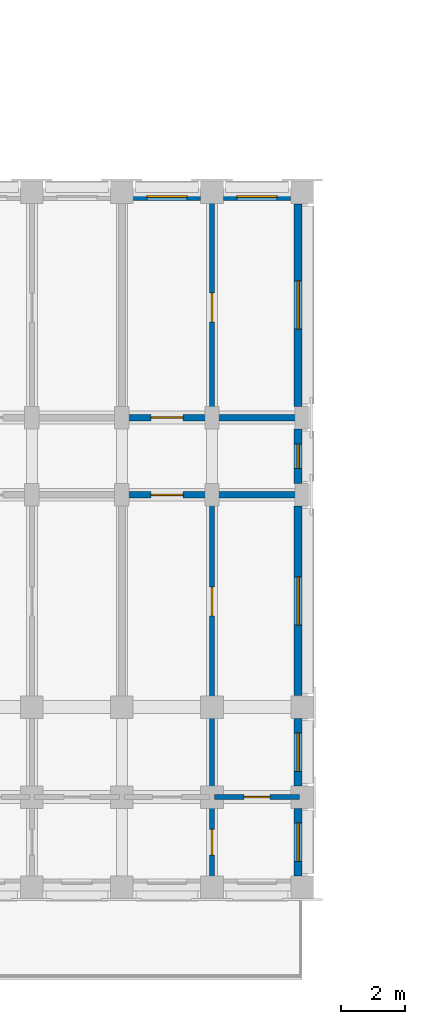
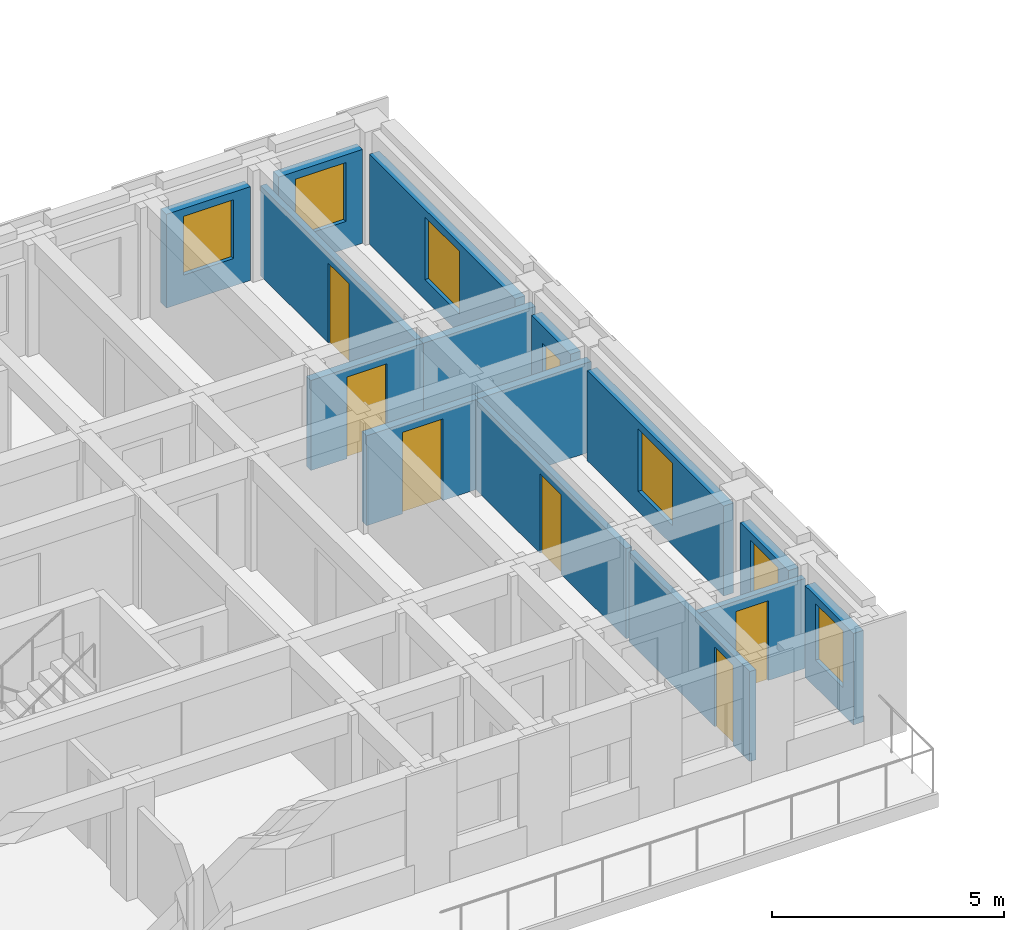
# One storey, part 23 of 57: 15 walls, 7 windows, 6 doors, 13 openings.
"""IFC4 building model written with IfcOpenShell, lengths in metres."""

import ifcopenshell
import ifcopenshell.guid

model = None  # the IFC model being written
_history = None  # IfcOwnerHistory: only IFC2X3 demands one
_inside = {}  # id of a spatial element -> (the spatial element, [elements in it])
_under = {}  # id of a project, library or spatial element -> (it, [spatial elements below it])
_declared = {}  # id of a project -> (the project, [libraries it declares])
_typed = {}  # id of a type object -> (the type object, [elements of that type])
_made_of = {}  # id of a material, layer set ... -> (it, [elements and type objects made of it])


def new_model(schema):
    """Start an empty IFC model of exactly this schema.

    Asked for "IFC4X3", IfcOpenShell would pick the latest addendum, in which some entities
    have other attributes; the version numbers below select the first issue.
    IFC2X3 requires an IfcOwnerHistory on every rooted entity: one is made here for all.
    """
    global model, _history
    if schema == "IFC4X3":
        model = ifcopenshell.file(schema_version=(4, 3, 0, 0))
    else:
        model = ifcopenshell.file(schema=schema)
    _inside.clear()
    _under.clear()
    _declared.clear()
    _typed.clear()
    _made_of.clear()
    _history = None
    if model.schema == "IFC2X3":
        org = make("IfcOrganization", Name="unknown")
        user = make(
            "IfcPersonAndOrganization",
            ThePerson=make("IfcPerson", FamilyName="unknown"),
            TheOrganization=org,
        )
        app = make(
            "IfcApplication",
            ApplicationDeveloper=org,
            Version="unknown",
            ApplicationFullName="unknown",
            ApplicationIdentifier="unknown",
        )
        _history = make(
            "IfcOwnerHistory",
            OwningUser=user,
            OwningApplication=app,
            ChangeAction="ADDED",
            CreationDate=0,
        )
    return model


def make(cls, **values):
    """One entity of the class cls with the attributes given. An attribute that is None is left unset."""
    return model.create_entity(
        cls, **{name: value for name, value in values.items() if value is not None}
    )


def rooted(cls, **values):
    """An entity with a GlobalId (a new one), such as an element, a storey or a relation."""
    return make(cls, GlobalId=ifcopenshell.guid.new(), OwnerHistory=_history, **values)


def si_unit(unit_type, name, prefix=None):
    """IfcSIUnit, for example si_unit("LENGTHUNIT", "METRE", prefix="MILLI")."""
    return make("IfcSIUnit", UnitType=unit_type, Prefix=prefix, Name=name)


def assignment(units):
    """IfcUnitAssignment: the units of a project."""
    return None if units is None else make("IfcUnitAssignment", Units=units)


def point(xyz):
    """IfcCartesianPoint."""
    return None if xyz is None else make("IfcCartesianPoint", Coordinates=xyz)


def direction(xyz):
    """IfcDirection."""
    return None if xyz is None else make("IfcDirection", DirectionRatios=xyz)


def frame(location, z_axis=None, x_axis=None):
    """IfcAxis2Placement3D, a coordinate frame: its origin and axes. An axis left out is left unset."""
    return make(
        "IfcAxis2Placement3D",
        Location=point(location),
        Axis=direction(z_axis),
        RefDirection=direction(x_axis),
    )


def frame_2d(location, x_axis=None):
    """IfcAxis2Placement2D, a coordinate frame in the plane: its origin and x axis."""
    return make(
        "IfcAxis2Placement2D", Location=point(location), RefDirection=direction(x_axis)
    )


def origin():
    """The frame at (0, 0, 0) with its axes left unset."""
    return frame((0.0, 0.0, 0.0))


def place(relative_to, where):
    """IfcLocalPlacement: puts the frame where relative to a parent placement (None: the world)."""
    return make(
        "IfcLocalPlacement", PlacementRelTo=relative_to, RelativePlacement=where
    )


def context(
    kind, dimensions, precision=None, world=None, true_north=None, identifier=None
):
    """IfcGeometricRepresentationContext, for example the 3D "Model" context."""
    return make(
        "IfcGeometricRepresentationContext",
        ContextIdentifier=identifier,
        ContextType=kind,
        CoordinateSpaceDimension=dimensions,
        Precision=precision,
        WorldCoordinateSystem=world,
        TrueNorth=true_north,
    )


def subcontext(parent, identifier, kind, view, scale=None):
    """IfcGeometricRepresentationSubContext, for example "Body" below "Model"."""
    return make(
        "IfcGeometricRepresentationSubContext",
        ContextIdentifier=identifier,
        ContextType=kind,
        ParentContext=parent,
        TargetScale=scale,
        TargetView=view,
    )


def project(units=None, contexts=None):
    """IfcProject with its units and contexts."""
    return rooted(
        "IfcProject",
        Name="project",
        RepresentationContexts=contexts,
        UnitsInContext=assignment(units),
    )


def spatial(cls, under=None, at=None, **own):
    """A site, building, storey or space (cls), placed at a placement, below another one or the project."""
    s = rooted(cls, ObjectPlacement=at, **own)
    if under is not None:
        _under.setdefault(under.id(), (under, []))[1].append(s)
    return s


def profile(cls, at=None, kind="AREA", **sizes):
    """A parametric profile (cls). Its sizes go by their IFC names, for example OverallWidth=200.0."""
    return make(cls, ProfileType=kind, Position=at, **sizes)


def rectangle(**sizes):
    """IfcRectangleProfileDef."""
    return profile("IfcRectangleProfileDef", **sizes)


def extrude(swept, where, along, depth):
    """IfcExtrudedAreaSolid: the profile swept, set in the frame where, extruded along a direction by depth."""
    return make(
        "IfcExtrudedAreaSolid",
        SweptArea=swept,
        Position=where,
        ExtrudedDirection=direction(along),
        Depth=depth,
    )


def shape(context_of_items, identifier, shape_type, items):
    """IfcShapeRepresentation: the items that make up one representation, for example the "Body"."""
    return make(
        "IfcShapeRepresentation",
        ContextOfItems=context_of_items,
        RepresentationIdentifier=identifier,
        RepresentationType=shape_type,
        Items=items,
    )


def material(Name=None, Category=None):
    """IfcMaterial."""
    return make("IfcMaterial", Name=Name, Category=Category)


def layer(
    of_material, thickness, ventilated=None, Name=None, Category=None, Priority=None
):
    """IfcMaterialLayer: one layer of a wall or slab, of a material (None: an air gap)."""
    return make(
        "IfcMaterialLayer",
        Material=of_material,
        LayerThickness=thickness,
        IsVentilated=ventilated,
        Name=Name,
        Category=Category,
        Priority=Priority,
    )


def layer_set(layers, Name=None):
    """IfcMaterialLayerSet."""
    return make("IfcMaterialLayerSet", MaterialLayers=layers, LayerSetName=Name)


def made_of(thing, what):
    """Note that an element or type object is made of a material, layer set ...; save() writes the relation."""
    if what is not None:
        _made_of.setdefault(what.id(), (what, []))[1].append(thing)
    return thing


def type_object(cls, material=None, **own):
    """A type object (cls), such as IfcWallType, which elements share."""
    return made_of(rooted(cls, **own), material)


def element(
    cls,
    number,
    at=None,
    inside=None,
    cuts=None,
    type_object=None,
    material=None,
    context=None,
    identifier="Body",
    shape_type=None,
    held_by="IfcProductDefinitionShape",
    body=None,
    shapes=None,
    **own,
):
    """One element of the class cls, such as IfcWall. Its Tag is "e" and its number.

    at: its placement. inside: the storey or other place that contains it. cuts: it is an
    opening in that element (IfcRelVoidsElement). A single representation is given by context,
    identifier, shape_type and body (its items); several are given by shapes. held_by: the class
    of the entity that holds the representations. save() writes the other relations.
    """
    e = rooted(cls, Tag="e%d" % number, ObjectPlacement=at, **own)
    if body is not None:
        shapes = [shape(context, identifier, shape_type, body)]
    if shapes is not None:
        e.Representation = make(held_by, Representations=shapes)
    if inside is not None:
        _inside.setdefault(inside.id(), (inside, []))[1].append(e)
    if cuts is not None:
        rooted(
            "IfcRelVoidsElement", RelatingBuildingElement=cuts, RelatedOpeningElement=e
        )
    if type_object is not None:
        _typed.setdefault(type_object.id(), (type_object, []))[1].append(e)
    return made_of(e, material)


def fill(opening, filler):
    """IfcRelFillsElement: the door or window that sits in an opening."""
    return rooted(
        "IfcRelFillsElement",
        RelatingOpeningElement=opening,
        RelatedBuildingElement=filler,
    )


def aggregate(whole, parts):
    """IfcRelAggregates: a whole, such as a stair, and the parts it consists of."""
    return rooted("IfcRelAggregates", RelatingObject=whole, RelatedObjects=parts)


def save(model, path):
    """Write the relations noted so far, then the file.

    IfcRelAggregates (storeys below a building ...), IfcRelContainedInSpatialStructure (elements
    in a storey), IfcRelDefinesByType, IfcRelAssociatesMaterial and IfcRelDeclares: one each for
    every whole, place, type object, material and project.
    """
    for whole, parts in _under.values():
        aggregate(whole, parts)
    for where, things in _inside.values():
        rooted(
            "IfcRelContainedInSpatialStructure",
            RelatedElements=things,
            RelatingStructure=where,
        )
    for kind, things in _typed.values():
        rooted("IfcRelDefinesByType", RelatedObjects=things, RelatingType=kind)
    for what, things in _made_of.values():
        rooted("IfcRelAssociatesMaterial", RelatedObjects=things, RelatingMaterial=what)
    for by, libraries in _declared.values():
        rooted("IfcRelDeclares", RelatingContext=by, RelatedDefinitions=libraries)
    model.write(path)


model = new_model("IFC4")

# Units and contexts
model_context = context("Model", 3, precision=1e-05, world=origin(), true_north=direction((0.0, 1.0)))
body_context = subcontext(model_context, "Body", "Model", "MODEL_VIEW")
ifc_project = project(units=[si_unit("LENGTHUNIT", "METRE"), si_unit("AREAUNIT", "SQUARE_METRE"), si_unit("VOLUMEUNIT", "CUBIC_METRE"), si_unit("PLANEANGLEUNIT", "RADIAN"), si_unit("MASSUNIT", "GRAM", prefix="KILO")], contexts=[model_context])

# Site, building, storey
site_placement = place(None, origin())
site = spatial("IfcSite", under=ifc_project, at=site_placement, CompositionType="ELEMENT")
building_placement = place(site_placement, origin())
building = spatial("IfcBuilding", under=site, at=building_placement, Name="Kiranvali Square Residences", CompositionType="ELEMENT")
storey_placement = place(building_placement, frame((0.0, 0.0, 24.449951171875)))
storey = spatial("IfcBuildingStorey", under=building, at=storey_placement, Name="L07", CompositionType="ELEMENT", Elevation=24.449951171875)

# Wall, opening, door
ifc_material_1 = material(Name="Autoclaved aerated concrete blockwork masonry", Category="masonry")
ifc_layer_1 = layer(ifc_material_1, 0.199951171875)
ifc_layer_set_1 = layer_set([ifc_layer_1], Name="Autoclaved aerated concrete blockwork masonry")
wall_type_1 = type_object("IfcWallType", Name="WL-COR-200", PredefinedType="STANDARD", material=ifc_layer_set_1)
wall_1_placement = place(storey_placement, frame((65.0, 22.39990234375, 0.0), z_axis=(0.0, 0.0, 1.0), x_axis=(1.0, 0.0, 0.0)))
wall_1 = element("IfcWall", 1, at=wall_1_placement, inside=storey, type_object=wall_type_1, Name="L07 architectural wall WL-L07-C-A1CI-2", PredefinedType="STANDARD", context=body_context, shape_type="SweptSolid", body=[
    extrude(rectangle(XDim=2.800048828125, YDim=0.199951171875, at=frame_2d((1.39990234375, 0.0))), origin(), (0.0, 0.0, 1.0), 2.3720703125),
])
opening_1_placement = place(wall_1_placement, frame((0.89990234375, 0.0, 0.0)))
opening_1 = element("IfcOpeningElement", 2, at=opening_1_placement, cuts=wall_1, Name="Opening FD-APT-60", PredefinedType="OPENING", context=body_context, shape_type="SweptSolid", body=[
    extrude(rectangle(XDim=1.0, YDim=2.14990234375, at=frame_2d((0.5, 1.074951171875))), frame((0.0, 0.10986328125, 0.0), z_axis=(0.0, -1.0, 0.0), x_axis=(1.0, 0.0, 0.0)), (0.0, 0.0, 1.0), 0.219970703125),
])
ifc_material_2 = material(Name="Fire-rated acoustic hardwood and mineral-core door assembly", Category="wood")
door_type_1 = type_object("IfcDoorType", Name="DR-APT-1000", OperationType="NOTDEFINED", PredefinedType="DOOR", material=ifc_material_2)
door_1_placement = place(opening_1_placement, frame((1.0, 0.0, 0.0), z_axis=(0.0, 0.0, 1.0), x_axis=(-1.0, 0.0, 0.0)))
door_1 = element("IfcDoor", 3, at=door_1_placement, inside=storey, type_object=door_type_1, Name="L07 door DR-L07-2156 (DR-APT-1000)", OperationType="SINGLE_SWING_RIGHT", OverallHeight=2.14990234375, OverallWidth=1.0, PredefinedType="DOOR", context=body_context, shape_type="SweptSolid", body=[
    extrude(rectangle(XDim=1.0, YDim=2.14990234375, at=frame_2d((0.5, 1.074951171875))), frame((0.0, 0.02490234375, 0.0), z_axis=(0.0, -1.0, 0.0), x_axis=(1.0, 0.0, 0.0)), (0.0, 0.0, 1.0), 0.050048828125),
])
fill(opening_1, door_1)

wall_2_placement = place(storey_placement, frame((65.0, 20.0, 0.0), z_axis=(0.0, 0.0, 1.0), x_axis=(1.0, 0.0, 0.0)))
wall_2 = element("IfcWall", 4, at=wall_2_placement, inside=storey, type_object=wall_type_1, Name="L07 architectural wall WL-L07-C-A1CO-2", PredefinedType="STANDARD", context=body_context, shape_type="SweptSolid", body=[
    extrude(rectangle(XDim=2.800048828125, YDim=0.199951171875, at=frame_2d((1.39990234375, 0.0))), origin(), (0.0, 0.0, 1.0), 2.3720703125),
])
opening_2_placement = place(wall_2_placement, frame((0.89990234375, 0.0, 0.0)))
opening_2 = element("IfcOpeningElement", 5, at=opening_2_placement, cuts=wall_2, Name="Opening FD-APT-60", PredefinedType="OPENING", context=body_context, shape_type="SweptSolid", body=[
    extrude(rectangle(XDim=1.0, YDim=2.14990234375, at=frame_2d((0.5, 1.074951171875))), frame((0.0, 0.10986328125, 0.0), z_axis=(0.0, -1.0, 0.0), x_axis=(1.0, 0.0, 0.0)), (0.0, 0.0, 1.0), 0.219970703125),
])
door_2_placement = place(opening_2_placement, frame((1.0, 0.0, 0.0), z_axis=(0.0, 0.0, 1.0), x_axis=(-1.0, 0.0, 0.0)))
door_2 = element("IfcDoor", 6, at=door_2_placement, inside=storey, type_object=door_type_1, Name="L07 door DR-L07-2158 (DR-APT-1000)", OperationType="SINGLE_SWING_RIGHT", OverallHeight=2.14990234375, OverallWidth=1.0, PredefinedType="DOOR", context=body_context, shape_type="SweptSolid", body=[
    extrude(rectangle(XDim=1.0, YDim=2.14990234375, at=frame_2d((0.5, 1.074951171875))), frame((0.0, 0.02490234375, 0.0), z_axis=(0.0, -1.0, 0.0), x_axis=(1.0, 0.0, 0.0)), (0.0, 0.0, 1.0), 0.050048828125),
])
fill(opening_2, door_2)

# Walls
for number, where, z_axis, x_axis, name in (
    (7, (67.800048828125, 22.39990234375, 0.0), (0.0, 0.0, 1.0), (1.0, 0.0, 0.0), "L07 architectural wall WL-L07-C-A1CI-3"),
    (8, (67.800048828125, 20.0, 0.0), (0.0, 0.0, 1.0), (1.0, 0.0, 0.0), "L07 architectural wall WL-L07-C-A1CO-3"),
):
    element("IfcWall", number, at=place(storey_placement, frame(where, z_axis=z_axis, x_axis=x_axis)), inside=storey, type_object=wall_type_1, Name=name, PredefinedType="STANDARD", context=body_context, shape_type="SweptSolid", body=[
        extrude(rectangle(XDim=2.800048828125, YDim=0.199951171875, at=frame_2d((1.39990234375, 0.0))), origin(), (0.0, 0.0, 1.0), 2.3720703125),
    ])

# Wall, opening, window
ifc_material_3 = material(Name="Breathable lime-rendered clay brick masonry", Category="masonry")
ifc_layer_2 = layer(ifc_material_3, 0.25)
ifc_layer_set_2 = layer_set([ifc_layer_2], Name="Breathable lime-rendered clay brick masonry")
wall_type_2 = type_object("IfcWallType", Name="WL-EXT-250", PredefinedType="STANDARD", material=ifc_layer_set_2)
wall_3_placement = place(storey_placement, frame((65.353515625, 29.27490234375, 0.0), z_axis=(0.0, 0.0, 1.0), x_axis=(1.0, 0.0, 0.0)))
wall_3 = element("IfcWall", 9, at=wall_3_placement, inside=storey, type_object=wall_type_2, Name="L07 exterior wall C-L07-A1I-2", PredefinedType="STANDARD", context=body_context, shape_type="SweptSolid", body=[
    extrude(rectangle(XDim=2.093017578125, YDim=0.25, at=frame_2d((1.04638671875, 0.0))), origin(), (0.0, 0.0, 1.0), 2.47216796875),
])
opening_3_placement = place(wall_3_placement, frame((0.42138671875, 0.0, 0.721923828125)))
opening_3 = element("IfcOpeningElement", 10, at=opening_3_placement, cuts=wall_3, Name="Opening W-19", PredefinedType="OPENING", context=body_context, shape_type="SweptSolid", body=[
    extrude(rectangle(XDim=1.25, YDim=1.550048828125, at=frame_2d((0.625, 0.77490234375))), frame((0.0, 0.135009765625, 0.0), z_axis=(0.0, -1.0, 0.0), x_axis=(1.0, 0.0, 0.0)), (0.0, 0.0, 1.0), 0.27001953125),
])
ifc_material_4 = material(Name="Solar-control low-e double glazing", Category="glass")
window_type_1 = type_object("IfcWindowType", Name="WIN-GDN-1250x1550", PartitioningType="SINGLE_PANEL", PredefinedType="WINDOW", material=ifc_material_4)
window_1_placement = place(opening_3_placement, origin())
window_1 = element("IfcWindow", 11, at=window_1_placement, inside=storey, type_object=window_type_1, Name="L07 recessed window C-L07-A1I-2", OverallHeight=1.550048828125, OverallWidth=1.25, PartitioningType="SINGLE_PANEL", PredefinedType="WINDOW", context=body_context, shape_type="SweptSolid", body=[
    extrude(rectangle(XDim=1.25, YDim=1.550048828125, at=frame_2d((0.625, 0.77490234375))), frame((0.0, 0.030029296875, 0.0), z_axis=(0.0, -1.0, 0.0), x_axis=(1.0, 0.0, 0.0)), (0.0, 0.0, 1.0), 0.06005859375),
])
fill(opening_3, window_1)

wall_4_placement = place(storey_placement, frame((68.153564453125, 29.27490234375, 0.0), z_axis=(0.0, 0.0, 1.0), x_axis=(1.0, 0.0, 0.0)))
wall_4 = element("IfcWall", 12, at=wall_4_placement, inside=storey, type_object=wall_type_2, Name="L07 exterior wall C-L07-A1I-3", PredefinedType="STANDARD", context=body_context, shape_type="SweptSolid", body=[
    extrude(rectangle(XDim=2.093017578125, YDim=0.25, at=frame_2d((1.04638671875, 0.0))), origin(), (0.0, 0.0, 1.0), 2.47216796875),
])
opening_4_placement = place(wall_4_placement, frame((0.42138671875, 0.0, 0.721923828125)))
opening_4 = element("IfcOpeningElement", 13, at=opening_4_placement, cuts=wall_4, Name="Opening W-19", PredefinedType="OPENING", context=body_context, shape_type="SweptSolid", body=[
    extrude(rectangle(XDim=1.25, YDim=1.550048828125, at=frame_2d((0.625, 0.77490234375))), frame((0.0, 0.135009765625, 0.0), z_axis=(0.0, -1.0, 0.0), x_axis=(1.0, 0.0, 0.0)), (0.0, 0.0, 1.0), 0.27001953125),
])
window_2_placement = place(opening_4_placement, origin())
window_2 = element("IfcWindow", 14, at=window_2_placement, inside=storey, type_object=window_type_1, Name="L07 recessed window C-L07-A1I-3", OverallHeight=1.550048828125, OverallWidth=1.25, PartitioningType="SINGLE_PANEL", PredefinedType="WINDOW", context=body_context, shape_type="SweptSolid", body=[
    extrude(rectangle(XDim=1.25, YDim=1.550048828125, at=frame_2d((0.625, 0.77490234375))), frame((0.0, 0.030029296875, 0.0), z_axis=(0.0, -1.0, 0.0), x_axis=(1.0, 0.0, 0.0)), (0.0, 0.0, 1.0), 0.06005859375),
])
fill(opening_4, window_2)

wall_5_placement = place(storey_placement, frame((70.47509765625, 29.04638671875, 0.0), z_axis=(0.0, 0.0, 1.0), x_axis=(0.0, -1.0, 0.0)))
wall_5 = element("IfcWall", 15, at=wall_5_placement, inside=storey, type_object=wall_type_2, Name="L07 exterior wall C-L07-A1END-0", PredefinedType="STANDARD", context=body_context, shape_type="SweptSolid", body=[
    extrude(rectangle(XDim=6.29296875, YDim=0.25, at=frame_2d((3.146484375, 0.0))), origin(), (0.0, 0.0, 1.0), 2.3720703125),
])
opening_5_placement = place(wall_5_placement, frame((2.396484375, 0.0, 0.52197265625)))
opening_5 = element("IfcOpeningElement", 16, at=opening_5_placement, cuts=wall_5, Name="Opening W-05", PredefinedType="OPENING", context=body_context, shape_type="SweptSolid", body=[
    extrude(rectangle(XDim=1.5, YDim=1.64990234375, at=frame_2d((0.75, 0.824951171875))), frame((0.0, 0.135009765625, 0.0), z_axis=(0.0, -1.0, 0.0), x_axis=(1.0, 0.0, 0.0)), (0.0, 0.0, 1.0), 0.27001953125),
])
window_type_2 = type_object("IfcWindowType", Name="WIN-RES-1500x1650", PartitioningType="DOUBLE_PANEL_VERTICAL", PredefinedType="WINDOW", material=ifc_material_4)
window_3_placement = place(opening_5_placement, origin())
window_3 = element("IfcWindow", 17, at=window_3_placement, inside=storey, type_object=window_type_2, Name="L07 recessed window C-L07-A1END-0", OverallHeight=1.64990234375, OverallWidth=1.5, PartitioningType="DOUBLE_PANEL_VERTICAL", PredefinedType="WINDOW", context=body_context, shape_type="SweptSolid", body=[
    extrude(rectangle(XDim=1.5, YDim=1.64990234375, at=frame_2d((0.75, 0.824951171875))), frame((0.0, 0.030029296875, 0.0), z_axis=(0.0, -1.0, 0.0), x_axis=(1.0, 0.0, 0.0)), (0.0, 0.0, 1.0), 0.06005859375),
])
fill(opening_5, window_3)

wall_6_placement = place(storey_placement, frame((70.47509765625, 22.04638671875, 0.0), z_axis=(0.0, 0.0, 1.0), x_axis=(0.0, -1.0, 0.0)))
wall_6 = element("IfcWall", 18, at=wall_6_placement, inside=storey, type_object=wall_type_2, Name="L07 exterior wall C-L07-A1END-1", PredefinedType="STANDARD", context=body_context, shape_type="SweptSolid", body=[
    extrude(rectangle(XDim=1.69287109375, YDim=0.25, at=frame_2d((0.846435546875, 0.0))), origin(), (0.0, 0.0, 1.0), 2.3720703125),
])
opening_6_placement = place(wall_6_placement, frame((0.471435546875, 0.0, 0.8798828125)))
opening_6 = element("IfcOpeningElement", 19, at=opening_6_placement, cuts=wall_6, Name="Opening W-07", PredefinedType="OPENING", context=body_context, shape_type="SweptSolid", body=[
    extrude(rectangle(XDim=0.75, YDim=1.050048828125, at=frame_2d((0.375, 0.52490234375))), frame((0.0, 0.135009765625, 0.0), z_axis=(0.0, -1.0, 0.0), x_axis=(1.0, 0.0, 0.0)), (0.0, 0.0, 1.0), 0.27001953125),
])
window_type_3 = type_object("IfcWindowType", Name="WIN-WET-750x1050", PartitioningType="SINGLE_PANEL", PredefinedType="WINDOW", material=ifc_material_4)
window_4_placement = place(opening_6_placement, origin())
window_4 = element("IfcWindow", 20, at=window_4_placement, inside=storey, type_object=window_type_3, Name="L07 recessed window C-L07-A1END-1", OverallHeight=1.050048828125, OverallWidth=0.75, PartitioningType="SINGLE_PANEL", PredefinedType="WINDOW", context=body_context, shape_type="SweptSolid", body=[
    extrude(rectangle(XDim=0.75, YDim=1.050048828125, at=frame_2d((0.375, 0.52490234375))), frame((0.0, 0.030029296875, 0.0), z_axis=(0.0, -1.0, 0.0), x_axis=(1.0, 0.0, 0.0)), (0.0, 0.0, 1.0), 0.06005859375),
])
fill(opening_6, window_4)

wall_7_placement = place(storey_placement, frame((70.47509765625, 19.646484375, 0.0), z_axis=(0.0, 0.0, 1.0), x_axis=(0.0, -1.0, 0.0)))
wall_7 = element("IfcWall", 21, at=wall_7_placement, inside=storey, type_object=wall_type_2, Name="L07 exterior wall C-L07-A1END-2", PredefinedType="STANDARD", context=body_context, shape_type="SweptSolid", body=[
    extrude(rectangle(XDim=5.89306640625, YDim=0.25, at=frame_2d((2.946533203125, 0.0))), origin(), (0.0, 0.0, 1.0), 2.3720703125),
])
opening_7_placement = place(wall_7_placement, frame((2.196533203125, 0.0, 0.52197265625)))
opening_7 = element("IfcOpeningElement", 22, at=opening_7_placement, cuts=wall_7, Name="Opening W-05", PredefinedType="OPENING", context=body_context, shape_type="SweptSolid", body=[
    extrude(rectangle(XDim=1.5, YDim=1.64990234375, at=frame_2d((0.75, 0.824951171875))), frame((0.0, 0.135009765625, 0.0), z_axis=(0.0, -1.0, 0.0), x_axis=(1.0, 0.0, 0.0)), (0.0, 0.0, 1.0), 0.27001953125),
])
window_5_placement = place(opening_7_placement, origin())
window_5 = element("IfcWindow", 23, at=window_5_placement, inside=storey, type_object=window_type_2, Name="L07 recessed window C-L07-A1END-2", OverallHeight=1.64990234375, OverallWidth=1.5, PartitioningType="DOUBLE_PANEL_VERTICAL", PredefinedType="WINDOW", context=body_context, shape_type="SweptSolid", body=[
    extrude(rectangle(XDim=1.5, YDim=1.64990234375, at=frame_2d((0.75, 0.824951171875))), frame((0.0, 0.030029296875, 0.0), z_axis=(0.0, -1.0, 0.0), x_axis=(1.0, 0.0, 0.0)), (0.0, 0.0, 1.0), 0.06005859375),
])
fill(opening_7, window_5)

wall_8_placement = place(storey_placement, frame((70.47509765625, 13.04638671875, 0.0), z_axis=(0.0, 0.0, 1.0), x_axis=(0.0, -1.0, 0.0)))
wall_8 = element("IfcWall", 24, at=wall_8_placement, inside=storey, type_object=wall_type_2, Name="L07 exterior wall C-L07-A1END-3", PredefinedType="STANDARD", context=body_context, shape_type="SweptSolid", body=[
    extrude(rectangle(XDim=2.0927734375, YDim=0.25, at=frame_2d((1.04638671875, 0.0))), origin(), (0.0, 0.0, 1.0), 2.3720703125),
])
opening_8_placement = place(wall_8_placement, frame((0.446533203125, 0.0, 0.672119140625)))
opening_8 = element("IfcOpeningElement", 25, at=opening_8_placement, cuts=wall_8, Name="Opening W-06", PredefinedType="OPENING", context=body_context, shape_type="SweptSolid", body=[
    extrude(rectangle(XDim=1.199951171875, YDim=1.5, at=frame_2d((0.60009765625, 0.75))), frame((0.0, 0.135009765625, 0.0), z_axis=(0.0, -1.0, 0.0), x_axis=(1.0, 0.0, 0.0)), (0.0, 0.0, 1.0), 0.27001953125),
])
window_type_4 = type_object("IfcWindowType", Name="WIN-RES-1200x1500", PartitioningType="SINGLE_PANEL", PredefinedType="WINDOW", material=ifc_material_4)
window_6_placement = place(opening_8_placement, origin())
window_6 = element("IfcWindow", 26, at=window_6_placement, inside=storey, type_object=window_type_4, Name="L07 recessed window C-L07-A1END-3", OverallHeight=1.5, OverallWidth=1.199951171875, PartitioningType="SINGLE_PANEL", PredefinedType="WINDOW", context=body_context, shape_type="SweptSolid", body=[
    extrude(rectangle(XDim=1.199951171875, YDim=1.5, at=frame_2d((0.60009765625, 0.75))), frame((0.0, 0.030029296875, 0.0), z_axis=(0.0, -1.0, 0.0), x_axis=(1.0, 0.0, 0.0)), (0.0, 0.0, 1.0), 0.06005859375),
])
fill(opening_8, window_6)

wall_9_placement = place(storey_placement, frame((70.47509765625, 10.24658203125, 0.0), z_axis=(0.0, 0.0, 1.0), x_axis=(0.0, -1.0, 0.0)))
wall_9 = element("IfcWall", 27, at=wall_9_placement, inside=storey, type_object=wall_type_2, Name="L07 exterior wall C-L07-A1END-4", PredefinedType="STANDARD", context=body_context, shape_type="SweptSolid", body=[
    extrude(rectangle(XDim=2.093017578125, YDim=0.25, at=frame_2d((1.04638671875, 0.0))), origin(), (0.0, 0.0, 1.0), 2.412109375),
])
opening_9_placement = place(wall_9_placement, frame((0.446533203125, 0.0, 0.7119140625)))
opening_9 = element("IfcOpeningElement", 28, at=opening_9_placement, cuts=wall_9, Name="Opening W-06", PredefinedType="OPENING", context=body_context, shape_type="SweptSolid", body=[
    extrude(rectangle(XDim=1.199951171875, YDim=1.5, at=frame_2d((0.60009765625, 0.75))), frame((0.0, 0.135009765625, 0.0), z_axis=(0.0, -1.0, 0.0), x_axis=(1.0, 0.0, 0.0)), (0.0, 0.0, 1.0), 0.27001953125),
])
window_7_placement = place(opening_9_placement, origin())
window_7 = element("IfcWindow", 29, at=window_7_placement, inside=storey, type_object=window_type_4, Name="L07 recessed window C-L07-A1END-4", OverallHeight=1.5, OverallWidth=1.199951171875, PartitioningType="SINGLE_PANEL", PredefinedType="WINDOW", context=body_context, shape_type="SweptSolid", body=[
    extrude(rectangle(XDim=1.199951171875, YDim=1.5, at=frame_2d((0.60009765625, 0.75))), frame((0.0, 0.030029296875, 0.0), z_axis=(0.0, -1.0, 0.0), x_axis=(1.0, 0.0, 0.0)), (0.0, 0.0, 1.0), 0.06005859375),
])
fill(opening_9, window_7)

# Wall, opening, door
ifc_material_5 = material(Name="Acoustic gypsum board drylined partition", Category="gypsum")
ifc_layer_3 = layer(ifc_material_5, 0.14990234375)
ifc_layer_set_3 = layer_set([ifc_layer_3], Name="Acoustic gypsum board drylined partition")
wall_type_3 = type_object("IfcWallType", Name="WL-PRT-150", PredefinedType="PARTITIONING", material=ifc_layer_set_3)
wall_10_placement = place(storey_placement, frame((67.800048828125, 29.199951171875, 0.0), z_axis=(0.0, 0.0, 1.0), x_axis=(0.0, -1.0, 0.0)))
wall_10 = element("IfcWall", 30, at=wall_10_placement, inside=storey, type_object=wall_type_3, Name="L07 architectural wall WL-L07-C-A1TI-3", PredefinedType="PARTITIONING", context=body_context, shape_type="SweptSolid", body=[
    extrude(rectangle(XDim=6.75, YDim=0.14990234375, at=frame_2d((3.375, 0.0))), origin(), (0.0, 0.0, 1.0), 2.3720703125),
])
opening_10_placement = place(wall_10_placement, frame((2.925048828125, 0.0, 0.0)))
opening_10 = element("IfcOpeningElement", 31, at=opening_10_placement, cuts=wall_10, Name="Opening ID-1", PredefinedType="OPENING", context=body_context, shape_type="SweptSolid", body=[
    extrude(rectangle(XDim=0.89990234375, YDim=2.10009765625, at=frame_2d((0.449951171875, 1.050048828125))), frame((0.0, 0.0849609375, 0.0), z_axis=(0.0, -1.0, 0.0), x_axis=(1.0, 0.0, 0.0)), (0.0, 0.0, 1.0), 0.169921875),
])
ifc_material_6 = material(Name="Solid seasoned teak hardwood joinery", Category="wood")
door_type_2 = type_object("IfcDoorType", Name="DR-INT-900", OperationType="NOTDEFINED", PredefinedType="DOOR", material=ifc_material_6)
door_3_placement = place(opening_10_placement, frame((0.89990234375, 0.0, 0.0), z_axis=(0.0, 0.0, 1.0), x_axis=(-1.0, 0.0, 0.0)))
door_3 = element("IfcDoor", 32, at=door_3_placement, inside=storey, type_object=door_type_2, Name="L07 door DR-L07-2164 (DR-INT-900)", OperationType="SINGLE_SWING_RIGHT", OverallHeight=2.10009765625, OverallWidth=0.89990234375, PredefinedType="DOOR", context=body_context, shape_type="SweptSolid", body=[
    extrude(rectangle(XDim=0.89990234375, YDim=2.10009765625, at=frame_2d((0.449951171875, 1.050048828125))), frame((0.0, 0.02490234375, 0.0), z_axis=(0.0, -1.0, 0.0), x_axis=(1.0, 0.0, 0.0)), (0.0, 0.0, 1.0), 0.050048828125),
])
fill(opening_10, door_3)

wall_11_placement = place(storey_placement, frame((67.800048828125, 19.949951171875, 0.0), z_axis=(0.0, 0.0, 1.0), x_axis=(0.0, -1.0, 0.0)))
wall_11 = element("IfcWall", 33, at=wall_11_placement, inside=storey, type_object=wall_type_3, Name="L07 architectural wall WL-L07-C-A1TO1-3", PredefinedType="PARTITIONING", context=body_context, shape_type="SweptSolid", body=[
    extrude(rectangle(XDim=6.530029296875, YDim=0.14990234375, at=frame_2d((3.26513671875, 0.0))), origin(), (0.0, 0.0, 1.0), 2.3720703125),
])
opening_11_placement = place(wall_11_placement, frame((2.81494140625, 0.0, 0.0)))
opening_11 = element("IfcOpeningElement", 34, at=opening_11_placement, cuts=wall_11, Name="Opening ID-1", PredefinedType="OPENING", context=body_context, shape_type="SweptSolid", body=[
    extrude(rectangle(XDim=0.89990234375, YDim=2.10009765625, at=frame_2d((0.449951171875, 1.050048828125))), frame((0.0, 0.0849609375, 0.0), z_axis=(0.0, -1.0, 0.0), x_axis=(1.0, 0.0, 0.0)), (0.0, 0.0, 1.0), 0.169921875),
])
door_4_placement = place(opening_11_placement, origin())
door_4 = element("IfcDoor", 35, at=door_4_placement, inside=storey, type_object=door_type_2, Name="L07 door DR-L07-2165 (DR-INT-900)", OperationType="SINGLE_SWING_LEFT", OverallHeight=2.10009765625, OverallWidth=0.89990234375, PredefinedType="DOOR", context=body_context, shape_type="SweptSolid", body=[
    extrude(rectangle(XDim=0.89990234375, YDim=2.10009765625, at=frame_2d((0.449951171875, 1.050048828125))), frame((0.0, 0.02490234375, 0.0), z_axis=(0.0, -1.0, 0.0), x_axis=(1.0, 0.0, 0.0)), (0.0, 0.0, 1.0), 0.050048828125),
])
fill(opening_11, door_4)

wall_12_placement = place(storey_placement, frame((67.800048828125, 13.300048828125, 0.0), z_axis=(0.0, 0.0, 1.0), x_axis=(0.0, -1.0, 0.0)))
wall_12 = element("IfcWall", 36, at=wall_12_placement, inside=storey, type_object=wall_type_3, Name="L07 architectural wall WL-L07-C-A1TO2-3", PredefinedType="PARTITIONING", context=body_context, shape_type="SweptSolid", body=[
    extrude(rectangle(XDim=5.219970703125, YDim=0.14990234375, at=frame_2d((2.60986328125, 0.0))), origin(), (0.0, 0.0, 1.0), 2.3720703125),
])
opening_12_placement = place(wall_12_placement, frame((3.69970703125, 0.0, 0.0)))
opening_12 = element("IfcOpeningElement", 37, at=opening_12_placement, cuts=wall_12, Name="Opening ID-WET", PredefinedType="OPENING", context=body_context, shape_type="SweptSolid", body=[
    extrude(rectangle(XDim=0.800048828125, YDim=2.10009765625, at=frame_2d((0.39990234375, 1.050048828125))), frame((0.0, 0.0849609375, 0.0), z_axis=(0.0, -1.0, 0.0), x_axis=(1.0, 0.0, 0.0)), (0.0, 0.0, 1.0), 0.169921875),
])
door_type_3 = type_object("IfcDoorType", Name="DR-WET-800", OperationType="NOTDEFINED", PredefinedType="DOOR", material=ifc_material_6)
door_5_placement = place(opening_12_placement, frame((0.800048828125, 0.0, 0.0), z_axis=(0.0, 0.0, 1.0), x_axis=(-1.0, 0.0, 0.0)))
door_5 = element("IfcDoor", 38, at=door_5_placement, inside=storey, type_object=door_type_3, Name="L07 door DR-L07-2166 (DR-WET-800)", OperationType="SINGLE_SWING_RIGHT", OverallHeight=2.10009765625, OverallWidth=0.800048828125, PredefinedType="DOOR", context=body_context, shape_type="SweptSolid", body=[
    extrude(rectangle(XDim=0.800048828125, YDim=2.10009765625, at=frame_2d((0.39990234375, 1.050048828125))), frame((0.0, 0.02490234375, 0.0), z_axis=(0.0, -1.0, 0.0), x_axis=(1.0, 0.0, 0.0)), (0.0, 0.0, 1.0), 0.050048828125),
])
fill(opening_12, door_5)

ifc_layer_4 = layer(ifc_material_1, 0.14990234375)
ifc_layer_set_4 = layer_set([ifc_layer_4], Name="Autoclaved aerated concrete blockwork masonry")
wall_type_4 = type_object("IfcWallType", Name="WL-WET-150", PredefinedType="PLUMBINGWALL", material=ifc_layer_set_4)
wall_13_placement = place(storey_placement, frame((67.8798828125, 10.60009765625, 0.0), z_axis=(0.0, 0.0, 1.0), x_axis=(1.0, 0.0, 0.0)))
wall_13 = element("IfcWall", 39, at=wall_13_placement, inside=storey, type_object=wall_type_4, Name="L07 architectural wall WL-L07-C-A1SP-3", PredefinedType="PLUMBINGWALL", context=body_context, shape_type="SweptSolid", body=[
    extrude(rectangle(XDim=2.64013671875, YDim=0.14990234375, at=frame_2d((1.320068359375, 0.0))), origin(), (0.0, 0.0, 1.0), 2.3720703125),
])
opening_13_placement = place(wall_13_placement, frame((0.919921875, 0.0, 0.0)))
opening_13 = element("IfcOpeningElement", 40, at=opening_13_placement, cuts=wall_13, Name="Opening ID-WET", PredefinedType="OPENING", context=body_context, shape_type="SweptSolid", body=[
    extrude(rectangle(XDim=0.800048828125, YDim=2.10009765625, at=frame_2d((0.39990234375, 1.050048828125))), frame((0.0, 0.0849609375, 0.0), z_axis=(0.0, -1.0, 0.0), x_axis=(1.0, 0.0, 0.0)), (0.0, 0.0, 1.0), 0.169921875),
])
door_6_placement = place(opening_13_placement, origin())
door_6 = element("IfcDoor", 41, at=door_6_placement, inside=storey, type_object=door_type_3, Name="L07 door DR-L07-2159 (DR-WET-800)", OperationType="SINGLE_SWING_LEFT", OverallHeight=2.10009765625, OverallWidth=0.800048828125, PredefinedType="DOOR", context=body_context, shape_type="SweptSolid", body=[
    extrude(rectangle(XDim=0.800048828125, YDim=2.10009765625, at=frame_2d((0.39990234375, 1.050048828125))), frame((0.0, 0.02490234375, 0.0), z_axis=(0.0, -1.0, 0.0), x_axis=(1.0, 0.0, 0.0)), (0.0, 0.0, 1.0), 0.050048828125),
])
fill(opening_13, door_6)

save(model, "model.ifc")
